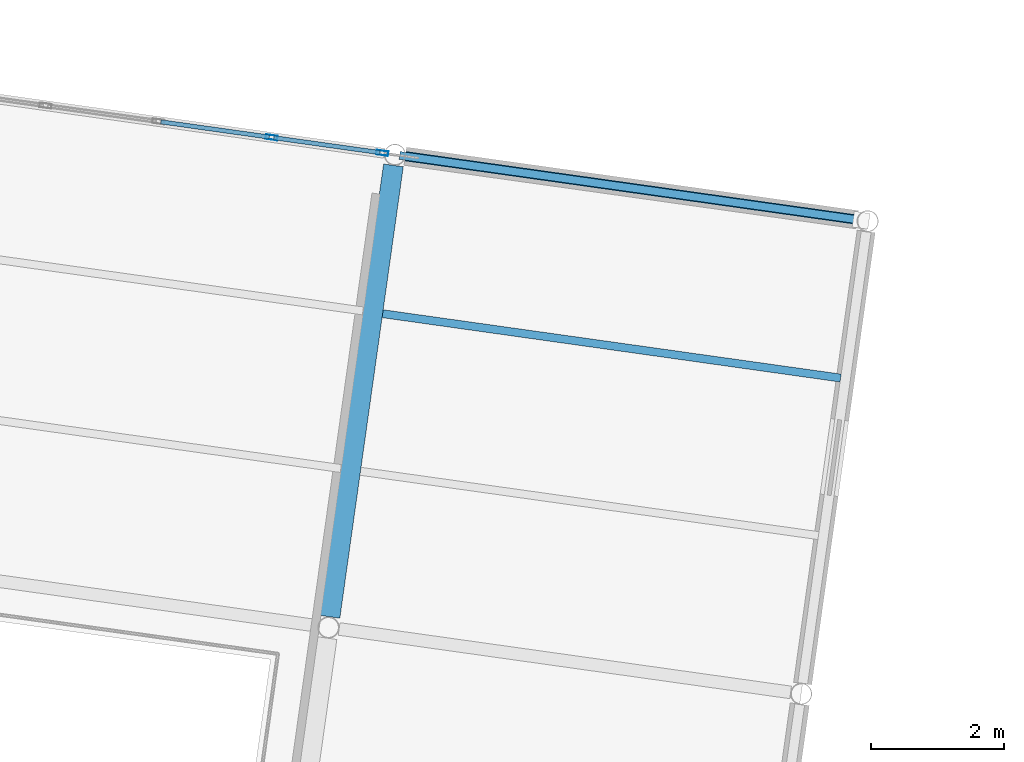
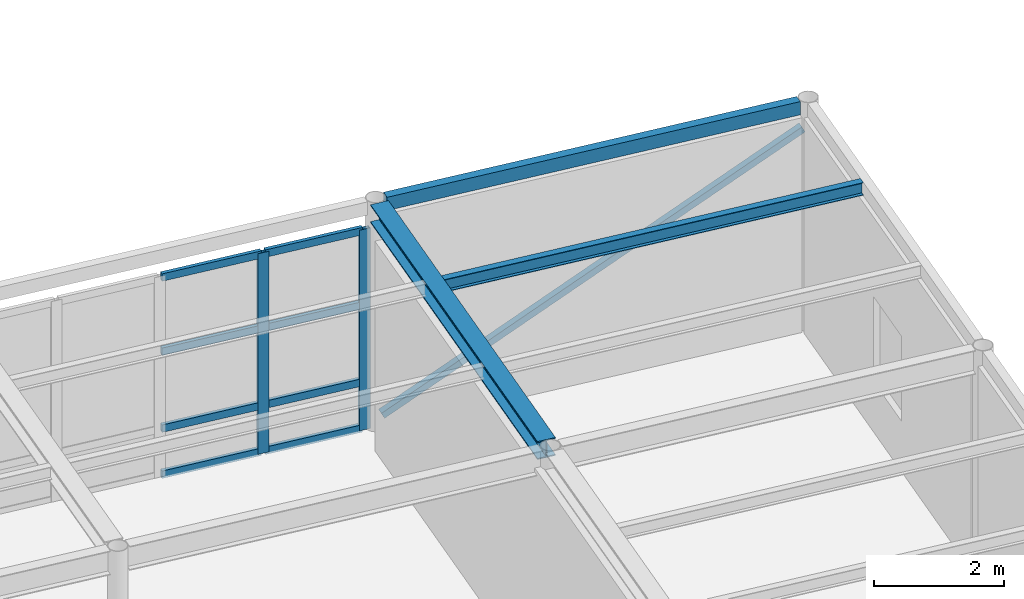
# One storey, part 42 of 80: 11 members, 3 beams, 1 element without a shape of its own.
"""IFC4 building model written with IfcOpenShell, lengths in metres."""

from ifc_helpers import new_model, si_unit, direction, frame, origin, origin_2d, place, context, subcontext, project, spatial, hollow_rectangle, i_section, extrude, material, layer, layer_set, material_profile, profile_set, type_object, element, aggregate, save


model = new_model("IFC4")

# Units and contexts
model_context = context("Model", 3, precision=1e-05, world=origin(), true_north=direction((0.0, 1.0)))
body_context = subcontext(model_context, "Body", "Model", "MODEL_VIEW")
ifc_project = project(units=[si_unit("LENGTHUNIT", "METRE"), si_unit("AREAUNIT", "SQUARE_METRE"), si_unit("VOLUMEUNIT", "CUBIC_METRE"), si_unit("PLANEANGLEUNIT", "RADIAN"), si_unit("MASSUNIT", "GRAM", prefix="KILO")], contexts=[model_context])

# Site, building, storey
site_placement = place(None, origin())
site = spatial("IfcSite", under=ifc_project, at=site_placement, CompositionType="ELEMENT")
building_placement = place(site_placement, origin())
building = spatial("IfcBuilding", under=site, at=building_placement, Name="Kharisveld Research Institute", CompositionType="ELEMENT")
storey_placement = place(building_placement, frame((0.0, 0.0, 5.10009765625)))
storey = spatial("IfcBuildingStorey", under=building, at=storey_placement, Name="L01", CompositionType="ELEMENT", Elevation=5.10009765625)

# Beam
ifc_material_1 = material(Name="Steel S355JR", Category="steel")
ifc_material_profile_1 = material_profile(ifc_material_1, i_section(OverallWidth=0.300048828125, OverallDepth=0.340087890625, WebThickness=0.011962890625, FlangeThickness=0.021484375, at=origin_2d()))
ifc_profile_set_1 = profile_set([ifc_material_profile_1], Name="Steel S355JR")
beam_type_1 = type_object("IfcBeamType", Name="BM_ST_HEA300", PredefinedType="BEAM", material=ifc_profile_set_1)
beam_1_placement = place(storey_placement, frame((98.41650390625, 28.9140625, 4.139892578125), z_axis=(0.139144396738, 0.990272102433, 0.0), x_axis=(-0.990272102433, 0.139144396738, 0.0)))
element("IfcBeam", 1, at=beam_1_placement, inside=storey, type_object=beam_type_1, Name="BM:V4:L01:V3_2", PredefinedType="BEAM", context=body_context, shape_type="SweptSolid", body=[
    extrude(i_section(OverallWidth=0.300048828125, OverallDepth=0.340087890625, WebThickness=0.011962890625, FlangeThickness=0.021484375, at=origin_2d()), origin(), (0.0, 0.0, 1.0), 6.876220703125),
])

# Member
ifc_material_2 = material(Name="Steel S355J2H", Category="steel")
ifc_material_profile_2 = material_profile(ifc_material_2, hollow_rectangle(XDim=0.1201171875, YDim=0.1201171875, WallThickness=0.00634765625, at=origin_2d()))
ifc_profile_set_2 = profile_set([ifc_material_profile_2], Name="Steel S355J2H")
member_type_1 = type_object("IfcMemberType", Name="BR_SHS120", PredefinedType="BRACE", material=ifc_profile_set_2)
member_1_placement = place(storey_placement, frame((99.494873046875, 35.86962890625, 0.199951171875), z_axis=(0.882674200618, -0.124040082431, 0.453321424063), x_axis=(0.139160243851, 0.990269875605, 0.0)))
element("IfcMember", 2, at=member_1_placement, inside=storey, type_object=member_type_1, Name="MEM:V4:L01:BR_3_3", PredefinedType="BRACE", context=body_context, shape_type="SweptSolid", body=[
    extrude(hollow_rectangle(XDim=0.1201171875, YDim=0.1201171875, WallThickness=0.00634765625, at=origin_2d()), origin(), (0.0, 0.0, 1.0), 7.853271484375),
])

# Curtain wall, members
ifc_material_3 = material(Name="Thermally Broken Aluminium Curtain Wall", Category="aluminium")
ifc_layer = layer(ifc_material_3, 0.159912109375)
ifc_layer_set = layer_set([ifc_layer], Name="CW_SYS_04")
curtain_wall_type = type_object("IfcCurtainWallType", Name="CW_SYS_04", PredefinedType="NOTDEFINED", material=ifc_layer_set)
curtain_wall_placement = place(storey_placement, origin())
curtain_wall = element("IfcCurtainWall", 3, at=curtain_wall_placement, inside=storey, type_object=curtain_wall_type, Name="CW:V4:L01:N2", PredefinedType="NOTDEFINED")
ifc_material_4 = material(Name="Anodised Aluminium AW-6063-T6", Category="aluminium")
ifc_material_profile_3 = material_profile(ifc_material_4, hollow_rectangle(XDim=0.070068359375, YDim=0.179931640625, WallThickness=0.00439453125, at=origin_2d()))
ifc_profile_set_3 = profile_set([ifc_material_profile_3], Name="Anodised Aluminium AW-6063-T6")
member_type_2 = type_object("IfcMemberType", Name="CW_MUL_180", PredefinedType="MULLION", material=ifc_profile_set_3)
member_2_placement = place(storey_placement, frame((97.53564453125, 36.14501953125, 0.0), z_axis=(0.0, 0.0, 1.0), x_axis=(0.139173245605, 0.990268048413, 0.0)))
member_2 = element("IfcMember", 4, at=member_2_placement, type_object=member_type_2, Name="CW-04 mullion 4", PredefinedType="MULLION", context=body_context, shape_type="SweptSolid", body=[
    extrude(hollow_rectangle(XDim=0.070068359375, YDim=0.179931640625, WallThickness=0.00439453125, at=origin_2d()), origin(), (0.0, 0.0, 1.0), 3.77978515625),
])
member_3_placement = place(storey_placement, frame((99.205810546875, 35.910400390625, 0.0), z_axis=(0.0, 0.0, 1.0), x_axis=(0.139173245605, 0.990268048413, 0.0)))
member_3 = element("IfcMember", 5, at=member_3_placement, type_object=member_type_2, Name="CW-04 mullion 5", PredefinedType="MULLION", context=body_context, shape_type="SweptSolid", body=[
    extrude(hollow_rectangle(XDim=0.070068359375, YDim=0.179931640625, WallThickness=0.00439453125, at=origin_2d()), origin(), (0.0, 0.0, 1.0), 3.77978515625),
])
ifc_material_5 = material(Name="Anodised Aluminium AW-6063-T6", Category="aluminium")
ifc_material_profile_4 = material_profile(ifc_material_5, hollow_rectangle(XDim=0.06494140625, YDim=0.139892578125, WallThickness=0.00390625, at=origin_2d()))
ifc_profile_set_4 = profile_set([ifc_material_profile_4], Name="Anodised Aluminium AW-6063-T6")
member_type_3 = type_object("IfcMemberType", Name="CW_TRN_140", PredefinedType="USERDEFINED", material=ifc_profile_set_4)
member_4_placement = place(storey_placement, frame((95.86572265625, 36.3798828125, 0.032470703125), z_axis=(0.990254667435, -0.139268422921, 0.0), x_axis=(0.139268422921, 0.990254667435, 0.0)))
member_4 = element("IfcMember", 6, at=member_4_placement, type_object=member_type_3, Name="CW-04 transom 3.1", ObjectType="TRANSOM", PredefinedType="USERDEFINED", context=body_context, shape_type="SweptSolid", body=[
    extrude(hollow_rectangle(XDim=0.06494140625, YDim=0.139892578125, WallThickness=0.00390625, at=origin_2d()), origin(), (0.0, 0.0, 1.0), 1.6513671875),
])
member_5_placement = place(storey_placement, frame((95.86572265625, 36.3798828125, 0.89990234375), z_axis=(0.990254667435, -0.139268422921, 0.0), x_axis=(0.139268422921, 0.990254667435, 0.0)))
member_5 = element("IfcMember", 7, at=member_5_placement, type_object=member_type_3, Name="CW-04 transom 3.2", ObjectType="TRANSOM", PredefinedType="USERDEFINED", context=body_context, shape_type="SweptSolid", body=[
    extrude(hollow_rectangle(XDim=0.06494140625, YDim=0.139892578125, WallThickness=0.00390625, at=origin_2d()), origin(), (0.0, 0.0, 1.0), 1.6513671875),
])
member_6_placement = place(storey_placement, frame((95.86572265625, 36.3798828125, 2.349853515625), z_axis=(0.990254667435, -0.139268422921, 0.0), x_axis=(0.139268422921, 0.990254667435, 0.0)))
member_6 = element("IfcMember", 8, at=member_6_placement, type_object=member_type_3, Name="CW-04 transom 3.3", ObjectType="TRANSOM", PredefinedType="USERDEFINED", context=body_context, shape_type="SweptSolid", body=[
    extrude(hollow_rectangle(XDim=0.06494140625, YDim=0.139892578125, WallThickness=0.00390625, at=origin_2d()), origin(), (0.0, 0.0, 1.0), 1.6513671875),
])
member_7_placement = place(storey_placement, frame((95.86572265625, 36.3798828125, 3.747314453125), z_axis=(0.990254667435, -0.139268422921, 0.0), x_axis=(0.139268422921, 0.990254667435, 0.0)))
member_7 = element("IfcMember", 9, at=member_7_placement, type_object=member_type_3, Name="CW-04 transom 3.4", ObjectType="TRANSOM", PredefinedType="USERDEFINED", context=body_context, shape_type="SweptSolid", body=[
    extrude(hollow_rectangle(XDim=0.06494140625, YDim=0.139892578125, WallThickness=0.00390625, at=origin_2d()), origin(), (0.0, 0.0, 1.0), 1.6513671875),
])
member_8_placement = place(storey_placement, frame((97.5703125, 36.14013671875, 0.032470703125), z_axis=(0.990279019232, -0.13909516192, 0.0), x_axis=(0.13909516192, 0.990279019232, 0.0)))
member_8 = element("IfcMember", 10, at=member_8_placement, type_object=member_type_3, Name="CW-04 transom 4.1", ObjectType="TRANSOM", PredefinedType="USERDEFINED", context=body_context, shape_type="SweptSolid", body=[
    extrude(hollow_rectangle(XDim=0.06494140625, YDim=0.139892578125, WallThickness=0.00390625, at=origin_2d()), origin(), (0.0, 0.0, 1.0), 1.616455078125),
])
member_9_placement = place(storey_placement, frame((97.5703125, 36.14013671875, 0.89990234375), z_axis=(0.990279019232, -0.13909516192, 0.0), x_axis=(0.13909516192, 0.990279019232, 0.0)))
member_9 = element("IfcMember", 11, at=member_9_placement, type_object=member_type_3, Name="CW-04 transom 4.2", ObjectType="TRANSOM", PredefinedType="USERDEFINED", context=body_context, shape_type="SweptSolid", body=[
    extrude(hollow_rectangle(XDim=0.06494140625, YDim=0.139892578125, WallThickness=0.00390625, at=origin_2d()), origin(), (0.0, 0.0, 1.0), 1.616455078125),
])
member_10_placement = place(storey_placement, frame((97.5703125, 36.14013671875, 2.349853515625), z_axis=(0.990279019232, -0.13909516192, 0.0), x_axis=(0.13909516192, 0.990279019232, 0.0)))
member_10 = element("IfcMember", 12, at=member_10_placement, type_object=member_type_3, Name="CW-04 transom 4.3", ObjectType="TRANSOM", PredefinedType="USERDEFINED", context=body_context, shape_type="SweptSolid", body=[
    extrude(hollow_rectangle(XDim=0.06494140625, YDim=0.139892578125, WallThickness=0.00390625, at=origin_2d()), origin(), (0.0, 0.0, 1.0), 1.616455078125),
])
member_11_placement = place(storey_placement, frame((97.5703125, 36.14013671875, 3.747314453125), z_axis=(0.990279019232, -0.13909516192, 0.0), x_axis=(0.13909516192, 0.990279019232, 0.0)))
member_11 = element("IfcMember", 13, at=member_11_placement, type_object=member_type_3, Name="CW-04 transom 4.4", ObjectType="TRANSOM", PredefinedType="USERDEFINED", context=body_context, shape_type="SweptSolid", body=[
    extrude(hollow_rectangle(XDim=0.06494140625, YDim=0.139892578125, WallThickness=0.00390625, at=origin_2d()), origin(), (0.0, 0.0, 1.0), 1.616455078125),
])
aggregate(curtain_wall, [member_2, member_3, member_4, member_5, member_6, member_7, member_8, member_9, member_10, member_11])

# Beams
ifc_material_6 = material(Name="Steel S355JR", Category="steel")
ifc_material_profile_5 = material_profile(ifc_material_6, i_section(OverallWidth=0.1201171875, OverallDepth=0.239990234375, WebThickness=0.006103515625, FlangeThickness=0.009765625, at=origin_2d()))
ifc_profile_set_5 = profile_set([ifc_material_profile_5], Name="Steel S355JR")
beam_type_2 = type_object("IfcBeamType", Name="JS_ST_IPE240", PredefinedType="JOIST", material=ifc_profile_set_5)
beam_2_placement = place(storey_placement, frame((99.21044921875, 33.486083984375, 4.18994140625), z_axis=(0.990268943271, -0.139166878215, 0.0), x_axis=(0.139166878215, 0.990268943271, 0.0)))
element("IfcBeam", 14, at=beam_2_placement, inside=storey, type_object=beam_type_2, Name="BM:V4:L01:J_3_2_R2", PredefinedType="JOIST", context=body_context, shape_type="SweptSolid", body=[
    extrude(i_section(OverallWidth=0.1201171875, OverallDepth=0.239990234375, WebThickness=0.006103515625, FlangeThickness=0.009765625, at=origin_2d()), origin(), (0.0, 0.0, 1.0), 6.97509765625),
])
ifc_material_7 = material(Name="Steel S355J2H", Category="steel")
ifc_material_profile_6 = material_profile(ifc_material_7, hollow_rectangle(XDim=0.14990234375, YDim=0.25, WallThickness=0.010009765625, at=origin_2d()))
ifc_profile_set_6 = profile_set([ifc_material_profile_6], Name="Steel S355J2H")
beam_type_3 = type_object("IfcBeamType", Name="SP_ST_RHS250", PredefinedType="SPANDREL", material=ifc_profile_set_6)
beam_3_placement = place(storey_placement, frame((99.556396484375, 35.861083984375, 4.184814453125), z_axis=(0.990266521775, -0.139184107758, 0.0), x_axis=(0.139184107758, 0.990266521775, 0.0)))
element("IfcBeam", 15, at=beam_3_placement, inside=storey, type_object=beam_type_3, Name="BM:V4:L01:U3_3", PredefinedType="SPANDREL", context=body_context, shape_type="SweptSolid", body=[
    extrude(hollow_rectangle(XDim=0.14990234375, YDim=0.25, WallThickness=0.010009765625, at=origin_2d()), origin(), (0.0, 0.0, 1.0), 6.8759765625),
])

save(model, "model.ifc")
